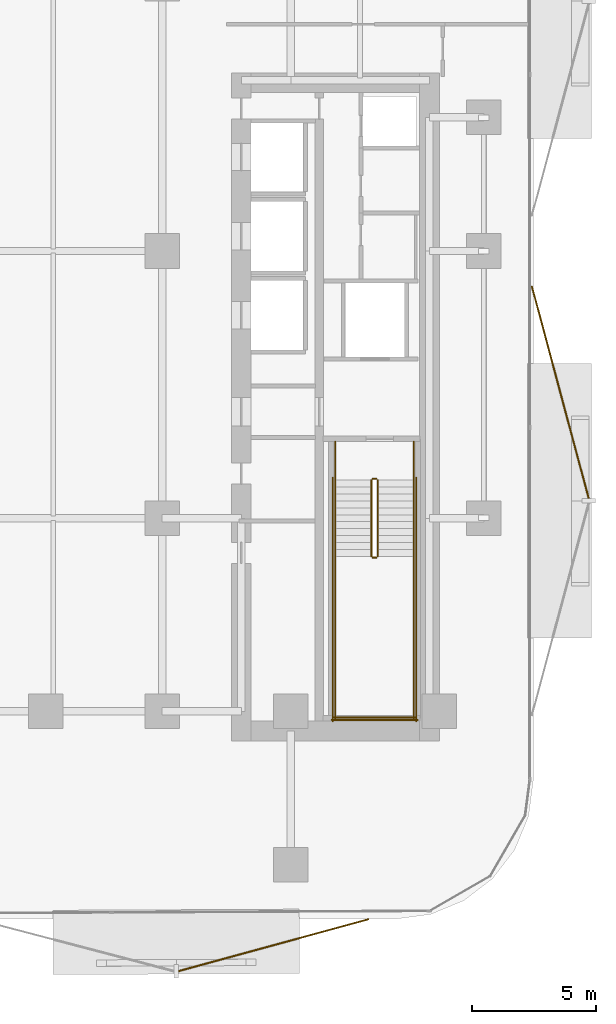
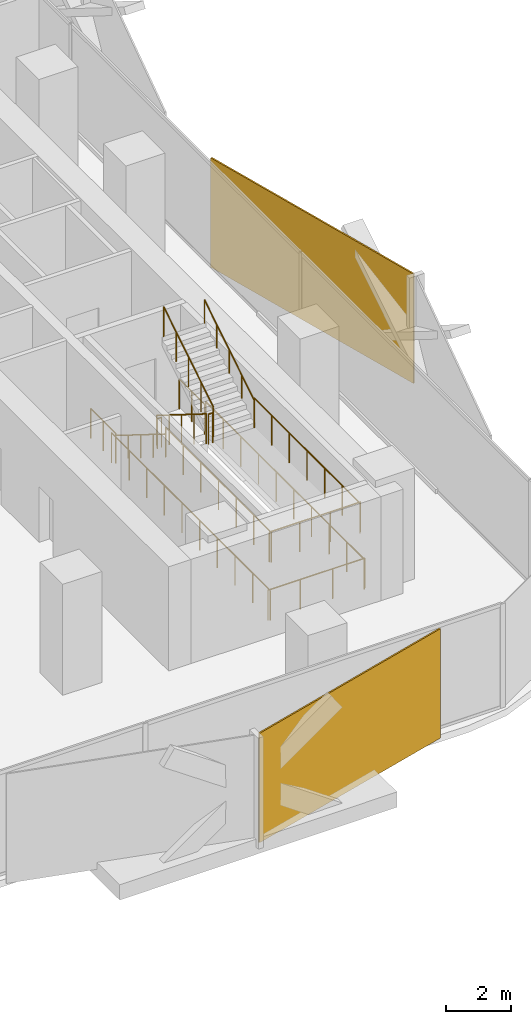
# One storey, part 13 of 15: 14 railings, 2 coverings.
"""IFC4 building model written with IfcOpenShell, lengths in metres."""

from ifc_helpers import new_model, si_unit, direction, frame, origin, origin_2d, place, context, subcontext, project, spatial, rectangle, circle, extrude, material, layer, layer_set, type_object, element, save


model = new_model("IFC4")

# Units and contexts
model_context = context("Model", 3, precision=1e-05, world=origin(), true_north=direction((0.0, 1.0)))
body_context = subcontext(model_context, "Body", "Model", "MODEL_VIEW")
ifc_project = project(units=[si_unit("LENGTHUNIT", "METRE"), si_unit("AREAUNIT", "SQUARE_METRE"), si_unit("VOLUMEUNIT", "CUBIC_METRE"), si_unit("PLANEANGLEUNIT", "RADIAN"), si_unit("MASSUNIT", "GRAM", prefix="KILO")], contexts=[model_context])

# Site, building, storey
site_placement = place(None, origin())
site = spatial("IfcSite", under=ifc_project, at=site_placement, CompositionType="ELEMENT")
building_placement = place(site_placement, origin())
building = spatial("IfcBuilding", under=site, at=building_placement, Name="Khairoan Windgate Tower", CompositionType="ELEMENT")
storey_placement = place(building_placement, frame((0.0, 0.0, 68.0)))
storey = spatial("IfcBuildingStorey", under=building, at=storey_placement, Name="L16", CompositionType="ELEMENT", Elevation=68.0)

# Coverings
ifc_material_1 = material(Name="Anodised Bronze Aluminium 6063-T6", Category="aluminium")
ifc_layer = layer(ifc_material_1, 0.054931640625, Name="Anodised Bronze Aluminium 6063-T6")
ifc_layer_set = layer_set([ifc_layer], Name="Anodised Bronze Aluminium 6063-T6")
covering_type = type_object("IfcCoveringType", Name="Perforated Bronze-Ceramic Folded Solar Screen Cladding BSC-1", PredefinedType="CLADDING", material=ifc_layer_set)
covering_1_placement = place(storey_placement, frame((13.705322265625, -28.052734375, -0.10009765625), z_axis=(0.0, 0.0, 1.0), x_axis=(-0.964649468762, -0.263536339841, 0.0)))
element("IfcCovering", 1, at=covering_1_placement, inside=storey, type_object=covering_type, Name="L16 Folded Bronze Solar Screen Facet 81L", PredefinedType="CLADDING", context=body_context, shape_type="SweptSolid", body=[
    extrude(rectangle(XDim=7.965087890625, YDim=0.054931640625, at=origin_2d()), origin(), (0.0, 0.0, 1.0), 4.139892578125),
])
covering_2_placement = place(storey_placement, frame((25.290283203125, -5.71484375, -0.10009765625), z_axis=(0.0, 0.0, 1.0), x_axis=(0.258819045103, -0.965925826289, 0.0)))
element("IfcCovering", 2, at=covering_2_placement, inside=storey, type_object=covering_type, Name="L16 Folded Bronze Solar Screen Facet 88L", PredefinedType="CLADDING", context=body_context, shape_type="SweptSolid", body=[
    extrude(rectangle(XDim=8.884033203125, YDim=0.054931640625, at=origin_2d()), origin(), (0.0, 0.0, 1.0), 4.139892578125),
])

# Railings
ifc_material_2 = material(Name="Anodised Bronze Aluminium 6063-T6", Category="aluminium")
railing_type_1 = type_object("IfcRailingType", Name="Stair Wall Handrail SHR-900", PredefinedType="HANDRAIL", material=ifc_material_2)
railing_1_placement = place(storey_placement, frame((16.199951171875, -9.260009765625, 0.175048828125)))
element("IfcRailing", 3, at=railing_1_placement, inside=storey, type_object=railing_type_1, Name="L16 ST1 stair handrail 1", PredefinedType="HANDRAIL", context=body_context, shape_type="SweptSolid", body=[
    extrude(circle(Radius=0.02392578125, at=origin_2d()), frame((0.0, 0.0, 0.8759765625), z_axis=(0.0, -0.847998304005, 0.529998940003), x_axis=(1.0, 0.0, 0.0)), (0.0, 0.0, 1.0), 3.632080078125),
    extrude(circle(Radius=0.02099609375, at=origin_2d()), origin(), (0.0, 0.0, 1.0), 0.851806640625),
    extrude(circle(Radius=0.02099609375, at=origin_2d()), frame((0.0, -0.77001953125, 0.481201171875)), (0.0, 0.0, 1.0), 0.851806640625),
    extrude(circle(Radius=0.02099609375, at=origin_2d()), frame((0.0, -1.5400390625, 0.96240234375)), (0.0, 0.0, 1.0), 0.851806640625),
    extrude(circle(Radius=0.02099609375, at=origin_2d()), frame((0.0, -2.31005859375, 1.44384765625)), (0.0, 0.0, 1.0), 0.851806640625),
    extrude(circle(Radius=0.02099609375, at=origin_2d()), frame((0.0, -3.080078125, 1.925048828125)), (0.0, 0.0, 1.0), 0.851806640625),
])
railing_2_placement = place(storey_placement, frame((19.3701171875, -12.340087890625, 2.27490234375)))
element("IfcRailing", 4, at=railing_2_placement, inside=storey, type_object=railing_type_1, Name="L16 ST1 stair handrail 2", PredefinedType="HANDRAIL", context=body_context, shape_type="SweptSolid", body=[
    extrude(circle(Radius=0.02392578125, at=origin_2d()), frame((0.0, 0.0, 0.8759765625), z_axis=(0.0, 0.847998304005, 0.529998940003), x_axis=(-1.0, 0.0, 0.0)), (0.0, 0.0, 1.0), 3.632080078125),
    extrude(circle(Radius=0.02099609375, at=origin_2d()), origin(), (0.0, 0.0, 1.0), 0.851806640625),
    extrude(circle(Radius=0.02099609375, at=origin_2d()), frame((0.0, 0.77001953125, 0.481201171875)), (0.0, 0.0, 1.0), 0.851806640625),
    extrude(circle(Radius=0.02099609375, at=origin_2d()), frame((0.0, 1.5400390625, 0.96240234375)), (0.0, 0.0, 1.0), 0.851806640625),
    extrude(circle(Radius=0.02099609375, at=origin_2d()), frame((0.0, 2.31005859375, 1.44384765625)), (0.0, 0.0, 1.0), 0.851806640625),
    extrude(circle(Radius=0.02099609375, at=origin_2d()), frame((0.0, 3.080078125, 1.925048828125)), (0.0, 0.0, 1.0), 0.851806640625),
])
ifc_material_3 = material(Name="Steel S355", Category="steel")
railing_type_2 = type_object("IfcRailingType", Name="Stairwell Safety Guardrail SGR-1150", PredefinedType="GUARDRAIL", material=ifc_material_3)
railing_3_placement = place(storey_placement, frame((17.659912109375, -9.260009765625, 0.175048828125)))
element("IfcRailing", 5, at=railing_3_placement, inside=storey, type_object=railing_type_2, Name="L16 ST1 stair guard 1", PredefinedType="GUARDRAIL", context=body_context, shape_type="SweptSolid", body=[
    extrude(circle(Radius=0.02392578125, at=origin_2d()), frame((0.0, 0.0, 1.1259765625), z_axis=(0.0, -0.847998304005, 0.529998940003), x_axis=(1.0, 0.0, 0.0)), (0.0, 0.0, 1.0), 3.632080078125),
    extrude(circle(Radius=0.02099609375, at=origin_2d()), origin(), (0.0, 0.0, 1.0), 1.101806640625),
    extrude(circle(Radius=0.02099609375, at=origin_2d()), frame((0.0, -0.77001953125, 0.481201171875)), (0.0, 0.0, 1.0), 1.101806640625),
    extrude(circle(Radius=0.02099609375, at=origin_2d()), frame((0.0, -1.5400390625, 0.96240234375)), (0.0, 0.0, 1.0), 1.101806640625),
    extrude(circle(Radius=0.02099609375, at=origin_2d()), frame((0.0, -2.31005859375, 1.44384765625)), (0.0, 0.0, 1.0), 1.101806640625),
    extrude(circle(Radius=0.02099609375, at=origin_2d()), frame((0.0, -3.080078125, 1.925048828125)), (0.0, 0.0, 1.0), 1.101806640625),
])
railing_4_placement = place(storey_placement, frame((17.7099609375, -12.389892578125, 2.10009765625)))
element("IfcRailing", 6, at=railing_4_placement, inside=storey, type_object=railing_type_2, Name="L16 ST1 stair guard 2", PredefinedType="GUARDRAIL", context=body_context, shape_type="SweptSolid", body=[
    extrude(circle(Radius=0.02392578125, at=origin_2d()), frame((0.0, 0.0, 1.1259765625), z_axis=(1.0, 0.0, 0.0), x_axis=(0.0, 1.0, 0.0)), (0.0, 0.0, 1.0), 0.150146484375),
    extrude(circle(Radius=0.02099609375, at=origin_2d()), origin(), (0.0, 0.0, 1.0), 1.101806640625),
    extrude(circle(Radius=0.02099609375, at=origin_2d()), frame((0.150146484375, 0.0, 0.0)), (0.0, 0.0, 1.0), 1.101806640625),
])
for number, where, name in (
    (7, (16.199951171875, -12.340087890625, 2.10009765625), "L16 ST1 stair guard 3"),
    (8, (19.3701171875, -12.340087890625, 2.10009765625), "L16 ST1 stair guard 4"),
):
    element("IfcRailing", number, at=place(storey_placement, frame(where)), inside=storey, type_object=railing_type_2, Name=name, PredefinedType="GUARDRAIL", context=body_context, shape_type="SweptSolid", body=[
        extrude(circle(Radius=0.02392578125, at=origin_2d()), frame((0.0, 0.0, 1.1259765625), z_axis=(0.0, -1.0, 0.0), x_axis=(1.0, 0.0, 0.0)), (0.0, 0.0, 1.0), 6.559814453125),
        extrude(circle(Radius=0.02099609375, at=origin_2d()), origin(), (0.0, 0.0, 1.0), 1.101806640625),
        extrude(circle(Radius=0.02099609375, at=origin_2d()), frame((0.0, -1.09326171875, 0.0)), (0.0, 0.0, 1.0), 1.101806640625),
        extrude(circle(Radius=0.02099609375, at=origin_2d()), frame((0.0, -2.1865234375, 0.0)), (0.0, 0.0, 1.0), 1.101806640625),
        extrude(circle(Radius=0.02099609375, at=origin_2d()), frame((0.0, -3.27978515625, 0.0)), (0.0, 0.0, 1.0), 1.101806640625),
        extrude(circle(Radius=0.02099609375, at=origin_2d()), frame((0.0, -4.373291015625, 0.0)), (0.0, 0.0, 1.0), 1.101806640625),
        extrude(circle(Radius=0.02099609375, at=origin_2d()), frame((0.0, -5.466552734375, 0.0)), (0.0, 0.0, 1.0), 1.101806640625),
        extrude(circle(Radius=0.02099609375, at=origin_2d()), frame((0.0, -6.559814453125, 0.0)), (0.0, 0.0, 1.0), 1.101806640625),
    ])
railing_5_placement = place(storey_placement, frame((16.14990234375, -18.85009765625, 2.10009765625)))
element("IfcRailing", 9, at=railing_5_placement, inside=storey, type_object=railing_type_2, Name="L16 ST1 stair guard 5", PredefinedType="GUARDRAIL", context=body_context, shape_type="SweptSolid", body=[
    extrude(circle(Radius=0.02392578125, at=origin_2d()), frame((0.0, 0.0, 1.1259765625), z_axis=(1.0, 0.0, 0.0), x_axis=(0.0, 1.0, 0.0)), (0.0, 0.0, 1.0), 3.27001953125),
    extrude(circle(Radius=0.02099609375, at=origin_2d()), origin(), (0.0, 0.0, 1.0), 1.101806640625),
    extrude(circle(Radius=0.02099609375, at=origin_2d()), frame((1.090087890625, 0.0, 0.0)), (0.0, 0.0, 1.0), 1.101806640625),
    extrude(circle(Radius=0.02099609375, at=origin_2d()), frame((2.179931640625, 0.0, 0.0)), (0.0, 0.0, 1.0), 1.101806640625),
    extrude(circle(Radius=0.02099609375, at=origin_2d()), frame((3.27001953125, 0.0, 0.0)), (0.0, 0.0, 1.0), 1.101806640625),
])
railing_6_placement = place(storey_placement, frame((17.909912109375, -12.340087890625, 2.27490234375)))
element("IfcRailing", 10, at=railing_6_placement, inside=storey, type_object=railing_type_2, Name="L16 ST1 stair guard 6", PredefinedType="GUARDRAIL", context=body_context, shape_type="SweptSolid", body=[
    extrude(circle(Radius=0.02392578125, at=origin_2d()), frame((0.0, 0.0, 1.1259765625), z_axis=(0.0, 0.847998304005, 0.529998940003), x_axis=(-1.0, 0.0, 0.0)), (0.0, 0.0, 1.0), 3.632080078125),
    extrude(circle(Radius=0.02099609375, at=origin_2d()), origin(), (0.0, 0.0, 1.0), 1.101806640625),
    extrude(circle(Radius=0.02099609375, at=origin_2d()), frame((0.0, 0.77001953125, 0.481201171875)), (0.0, 0.0, 1.0), 1.101806640625),
    extrude(circle(Radius=0.02099609375, at=origin_2d()), frame((0.0, 1.5400390625, 0.96240234375)), (0.0, 0.0, 1.0), 1.101806640625),
    extrude(circle(Radius=0.02099609375, at=origin_2d()), frame((0.0, 2.31005859375, 1.44384765625)), (0.0, 0.0, 1.0), 1.101806640625),
    extrude(circle(Radius=0.02099609375, at=origin_2d()), frame((0.0, 3.080078125, 1.925048828125)), (0.0, 0.0, 1.0), 1.101806640625),
])
railing_7_placement = place(storey_placement, frame((17.7099609375, -9.2099609375, 0.0)))
element("IfcRailing", 11, at=railing_7_placement, inside=storey, type_object=railing_type_2, Name="L16 ST1 stair guard 7", PredefinedType="GUARDRAIL", context=body_context, shape_type="SweptSolid", body=[
    extrude(circle(Radius=0.02392578125, at=origin_2d()), frame((0.0, 0.0, 1.1259765625), z_axis=(1.0, 0.0, 0.0), x_axis=(0.0, 1.0, 0.0)), (0.0, 0.0, 1.0), 0.150146484375),
    extrude(circle(Radius=0.02099609375, at=origin_2d()), origin(), (0.0, 0.0, 1.0), 1.101806640625),
    extrude(circle(Radius=0.02099609375, at=origin_2d()), frame((0.150146484375, 0.0, 0.0)), (0.0, 0.0, 1.0), 1.101806640625),
])
for number, where, name in (
    (12, (16.199951171875, -7.699951171875, 0.0), "L16 ST1 stair guard 8"),
    (13, (19.3701171875, -7.699951171875, 0.0), "L16 ST1 stair guard 9"),
):
    element("IfcRailing", number, at=place(storey_placement, frame(where)), inside=storey, type_object=railing_type_2, Name=name, PredefinedType="GUARDRAIL", context=body_context, shape_type="SweptSolid", body=[
        extrude(circle(Radius=0.02392578125, at=origin_2d()), frame((0.0, 0.0, 1.1259765625), z_axis=(0.0, -1.0, 0.0), x_axis=(1.0, 0.0, 0.0)), (0.0, 0.0, 1.0), 1.56005859375),
        extrude(circle(Radius=0.02099609375, at=origin_2d()), origin(), (0.0, 0.0, 1.0), 1.101806640625),
        extrude(circle(Radius=0.02099609375, at=origin_2d()), frame((0.0, -0.780029296875, 0.0)), (0.0, 0.0, 1.0), 1.101806640625),
        extrude(circle(Radius=0.02099609375, at=origin_2d()), frame((0.0, -1.56005859375, 0.0)), (0.0, 0.0, 1.0), 1.101806640625),
    ])
for number, where, name in (
    (14, (16.10009765625, -9.159912109375, 0.0), "L16 ST1 stair guard 10"),
    (15, (19.469970703125, -9.159912109375, 0.0), "L16 ST1 stair guard 11"),
):
    element("IfcRailing", number, at=place(storey_placement, frame(where)), inside=storey, type_object=railing_type_2, Name=name, PredefinedType="GUARDRAIL", context=body_context, shape_type="SweptSolid", body=[
        extrude(circle(Radius=0.02392578125, at=origin_2d()), frame((0.0, 0.0, 1.1259765625), z_axis=(0.0, -1.0, 0.0), x_axis=(1.0, 0.0, 0.0)), (0.0, 0.0, 1.0), 9.840087890625),
        extrude(circle(Radius=0.02099609375, at=origin_2d()), origin(), (0.0, 0.0, 1.0), 1.101806640625),
        extrude(circle(Radius=0.02099609375, at=origin_2d()), frame((0.0, -1.09326171875, 0.0)), (0.0, 0.0, 1.0), 1.101806640625),
        extrude(circle(Radius=0.02099609375, at=origin_2d()), frame((0.0, -2.186767578125, 0.0)), (0.0, 0.0, 1.0), 1.101806640625),
        extrude(circle(Radius=0.02099609375, at=origin_2d()), frame((0.0, -3.280029296875, 0.0)), (0.0, 0.0, 1.0), 1.101806640625),
        extrude(circle(Radius=0.02099609375, at=origin_2d()), frame((0.0, -4.373291015625, 0.0)), (0.0, 0.0, 1.0), 1.101806640625),
        extrude(circle(Radius=0.02099609375, at=origin_2d()), frame((0.0, -5.466796875, 0.0)), (0.0, 0.0, 1.0), 1.101806640625),
        extrude(circle(Radius=0.02099609375, at=origin_2d()), frame((0.0, -6.56005859375, 0.0)), (0.0, 0.0, 1.0), 1.101806640625),
        extrude(circle(Radius=0.02099609375, at=origin_2d()), frame((0.0, -7.6533203125, 0.0)), (0.0, 0.0, 1.0), 1.101806640625),
        extrude(circle(Radius=0.02099609375, at=origin_2d()), frame((0.0, -8.746826171875, 0.0)), (0.0, 0.0, 1.0), 1.101806640625),
        extrude(circle(Radius=0.02099609375, at=origin_2d()), frame((0.0, -9.840087890625, 0.0)), (0.0, 0.0, 1.0), 1.101806640625),
    ])
railing_8_placement = place(storey_placement, frame((16.050048828125, -18.949951171875, 0.0)))
element("IfcRailing", 16, at=railing_8_placement, inside=storey, type_object=railing_type_2, Name="L16 ST1 stair guard 12", PredefinedType="GUARDRAIL", context=body_context, shape_type="SweptSolid", body=[
    extrude(circle(Radius=0.02392578125, at=origin_2d()), frame((0.0, 0.0, 1.1259765625), z_axis=(1.0, 0.0, 0.0), x_axis=(0.0, 1.0, 0.0)), (0.0, 0.0, 1.0), 3.469970703125),
    extrude(circle(Radius=0.02099609375, at=origin_2d()), origin(), (0.0, 0.0, 1.0), 1.101806640625),
    extrude(circle(Radius=0.02099609375, at=origin_2d()), frame((1.15673828125, 0.0, 0.0)), (0.0, 0.0, 1.0), 1.101806640625),
    extrude(circle(Radius=0.02099609375, at=origin_2d()), frame((2.313232421875, 0.0, 0.0)), (0.0, 0.0, 1.0), 1.101806640625),
    extrude(circle(Radius=0.02099609375, at=origin_2d()), frame((3.469970703125, 0.0, 0.0)), (0.0, 0.0, 1.0), 1.101806640625),
])

save(model, "model.ifc")
